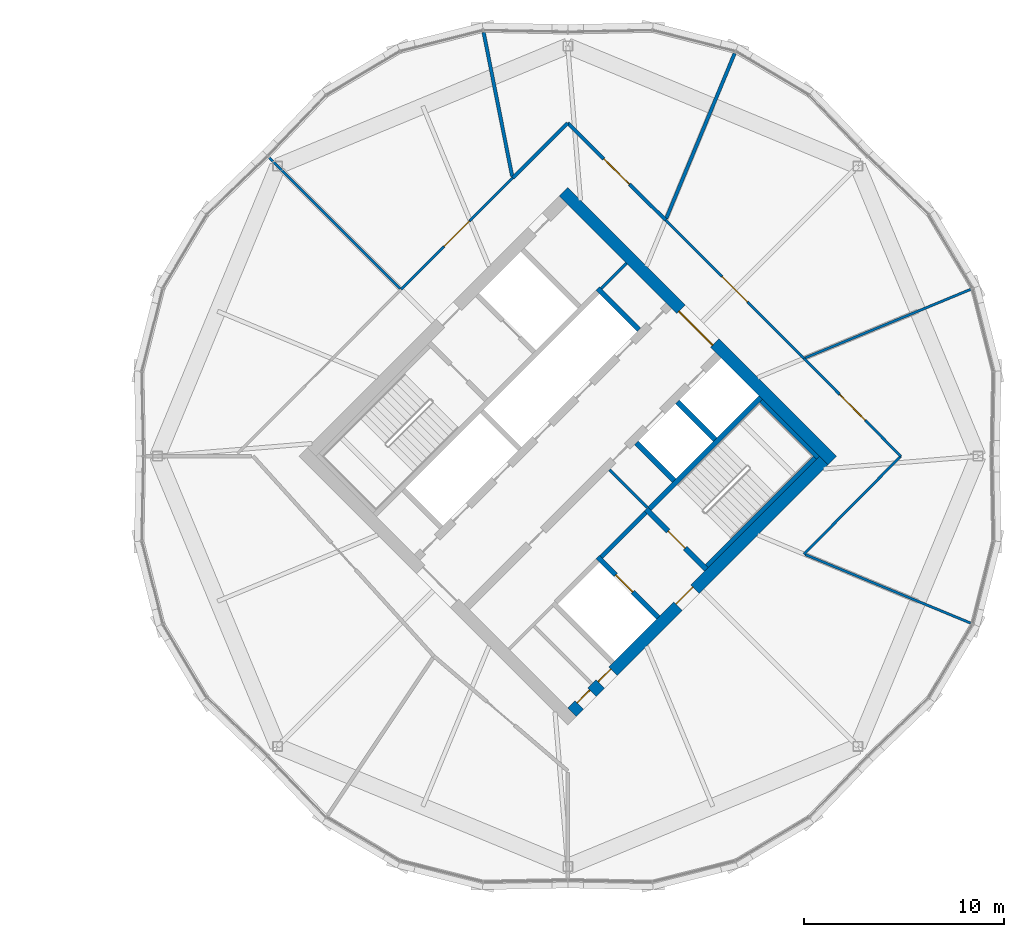
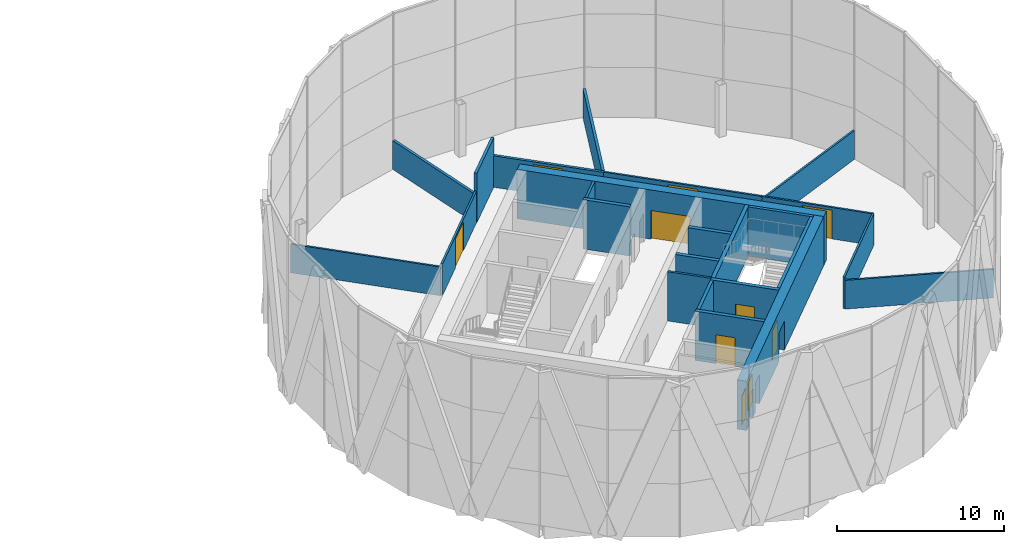
# One storey, part 22 of 25: 24 walls, 10 doors, 10 openings.
"""IFC4 building model written with IfcOpenShell, lengths in metres."""

from ifc_helpers import new_model, si_unit, direction, frame, frame_2d, origin, place, context, subcontext, project, spatial, rectangle, extrude, material, layer, layer_set, type_object, element, fill, save


model = new_model("IFC4")

# Units and contexts
model_context = context("Model", 3, precision=1e-05, world=origin(), true_north=direction((0.0, 1.0)))
body_context = subcontext(model_context, "Body", "Model", "MODEL_VIEW")
ifc_project = project(units=[si_unit("LENGTHUNIT", "METRE"), si_unit("AREAUNIT", "SQUARE_METRE"), si_unit("VOLUMEUNIT", "CUBIC_METRE"), si_unit("PLANEANGLEUNIT", "RADIAN"), si_unit("MASSUNIT", "GRAM", prefix="KILO")], contexts=[model_context])

# Site, building, storey
site_placement = place(None, origin())
site = spatial("IfcSite", under=ifc_project, at=site_placement, CompositionType="ELEMENT")
building_placement = place(site_placement, origin())
building = spatial("IfcBuilding", under=site, at=building_placement, Name="Ogive Gate Towers", CompositionType="ELEMENT")
storey_placement = place(building_placement, frame((0.0, 0.0, 196.800048828125)))
storey = spatial("IfcBuildingStorey", under=building, at=storey_placement, Name="L47", CompositionType="ELEMENT", Elevation=196.800048828125)

# Walls
ifc_material_1 = material(Name="Gypsum board acoustic partition")
ifc_layer_1 = layer(ifc_material_1, 0.175048828125)
ifc_layer_set_1 = layer_set([ifc_layer_1], Name="Acoustic partition 175")
wall_type_1 = type_object("IfcWallType", Name="Acoustic partition 175", PredefinedType="PARTITIONING", material=ifc_layer_set_1)
wall_1_placement = place(storey_placement, frame((44.35009765625, 20.1591796875, 0.0), z_axis=(0.0, 0.0, 1.0), x_axis=(-0.382666085815, -0.923886717497, 0.0)))
element("IfcWall", 1, at=wall_1_placement, inside=storey, type_object=wall_type_1, Name="Partition T2-L47-002", PredefinedType="PARTITIONING", context=body_context, shape_type="SweptSolid", body=[
    extrude(rectangle(XDim=8.941650390625, YDim=0.175048828125, at=frame_2d((4.470703125, 0.0))), origin(), (0.0, 0.0, 1.0), 2.099853515625),
])
wall_2_placement = place(storey_placement, frame((31.790283203125, 21.205810546875, 0.0), z_axis=(0.0, 0.0, 1.0), x_axis=(0.194734626215, -0.980855965651, 0.0)))
element("IfcWall", 2, at=wall_2_placement, inside=storey, type_object=wall_type_1, Name="Partition T2-L47-003", PredefinedType="PARTITIONING", context=body_context, shape_type="SweptSolid", body=[
    extrude(rectangle(XDim=7.341796875, YDim=0.175048828125, at=frame_2d((3.6708984375, 0.0))), origin(), (0.0, 0.0, 1.0), 2.099853515625),
])

# Wall, opening, door
wall_3_placement = place(storey_placement, frame((40.89501953125, 11.8173828125, 0.0), z_axis=(0.0, 0.0, 1.0), x_axis=(-0.7109435657, 0.703249064265, 0.0)))
wall_3 = element("IfcWall", 3, at=wall_3_placement, inside=storey, type_object=wall_type_1, Name="Partition T2-L47-013", PredefinedType="PARTITIONING", context=body_context, shape_type="SweptSolid", body=[
    extrude(rectangle(XDim=6.88525390625, YDim=0.175048828125, at=frame_2d((3.442626953125, 0.0))), origin(), (0.0, 0.0, 1.0), 2.300048828125),
])
opening_1_placement = place(wall_3_placement, frame((2.54296875, 0.0, 0.0)))
opening_1 = element("IfcOpeningElement", 4, at=opening_1_placement, cuts=wall_3, Name="Opening T2-L47-D04", PredefinedType="OPENING", context=body_context, shape_type="SweptSolid", body=[
    extrude(rectangle(XDim=1.800048828125, YDim=2.10009765625, at=frame_2d((0.89990234375, 1.050048828125))), frame((0.0, 0.09765625, 0.0), z_axis=(0.0, -1.0, 0.0), x_axis=(1.0, 0.0, 0.0)), (0.0, 0.0, 1.0), 0.195068359375),
])
ifc_material_2 = material(Name="Timber door", Category="wood")
door_type_1 = type_object("IfcDoorType", Name="Door pair 1800", OperationType="NOTDEFINED", PredefinedType="DOOR", material=ifc_material_2)
door_1_placement = place(opening_1_placement, origin())
door_1 = element("IfcDoor", 5, at=door_1_placement, inside=storey, type_object=door_type_1, Name="Door T2-L47-D04", OperationType="DOUBLE_DOOR_DOUBLE_SWING", OverallHeight=2.10009765625, OverallWidth=1.800048828125, PredefinedType="DOOR", context=body_context, shape_type="SweptSolid", body=[
    extrude(rectangle(XDim=1.800048828125, YDim=2.10009765625, at=frame_2d((0.89990234375, 1.050048828125))), frame((0.0, 0.02490234375, 0.0), z_axis=(0.0, -1.0, 0.0), x_axis=(1.0, 0.0, 0.0)), (0.0, 0.0, 1.0), 0.050048828125),
])
fill(opening_1, door_1)

# Walls
wall_4_placement = place(storey_placement, frame((36.0, 16.659423828125, 0.0), z_axis=(0.0, 0.0, 1.0), x_axis=(-0.710017872261, -0.704183655781, 0.0)))
element("IfcWall", 6, at=wall_4_placement, inside=storey, type_object=wall_type_1, Name="Partition T2-L47-014", PredefinedType="PARTITIONING", context=body_context, shape_type="SweptSolid", body=[
    extrude(rectangle(XDim=3.8916015625, YDim=0.175048828125, at=frame_2d((1.94580078125, 0.0))), origin(), (0.0, 0.0, 1.0), 3.599853515625),
])
ifc_material_3 = material(Name="Masonry blockwork", Category="masonry")
ifc_layer_2 = layer(ifc_material_3, 0.199951171875)
ifc_layer_set_2 = layer_set([ifc_layer_2], Name="Blockwork wall 200 mm")
wall_type_2 = type_object("IfcWallType", Name="Blockwork wall 200 mm", PredefinedType="PARTITIONING", material=ifc_layer_set_2)
wall_5_placement = place(storey_placement, frame((37.679443359375, -5.0380859375, 0.0), z_axis=(0.0, 0.0, 1.0), x_axis=(0.707106781187, 0.707106781187, 0.0)))
element("IfcWall", 7, at=wall_5_placement, inside=storey, type_object=wall_type_2, Name="T2 L47 Blockwork wall 200 mm", PredefinedType="PARTITIONING", context=body_context, shape_type="SweptSolid", body=[
    extrude(rectangle(XDim=3.14990234375, YDim=0.199951171875, at=frame_2d((1.574951171875, 0.0))), origin(), (0.0, 0.0, 1.0), 3.599853515625),
])

# Wall, openings, doors
ifc_material_4 = material(Name="Concrete C60/75", Category="concrete")
ifc_layer_3 = layer(ifc_material_4, 0.60009765625)
ifc_layer_set_3 = layer_set([ifc_layer_3], Name="Core wall 600 mm")
wall_type_3 = type_object("IfcWallType", Name="Core wall 600 mm", PredefinedType="SHEAR", material=ifc_layer_set_3)
wall_6_placement = place(storey_placement, frame((36.212158203125, -12.798583984375, 0.0), z_axis=(0.0, 0.0, 1.0), x_axis=(0.707106781187, 0.707106781187, 0.0)))
wall_6 = element("IfcWall", 8, at=wall_6_placement, inside=storey, type_object=wall_type_3, Name="T2 L47 Core wall 600 mm", PredefinedType="SHEAR", context=body_context, shape_type="SweptSolid", body=[
    extrude(rectangle(XDim=17.7998046875, YDim=0.60009765625, at=frame_2d((8.89990234375, 0.0))), origin(), (0.0, 0.0, 1.0), 3.599853515625),
])
opening_2_placement = place(wall_6_placement, frame((7.5, 0.0, 0.0)))
opening_2 = element("IfcOpeningElement", 9, at=opening_2_placement, cuts=wall_6, Name="Opening KD-T2-L47-19", PredefinedType="OPENING", context=body_context, shape_type="SweptSolid", body=[
    extrude(rectangle(XDim=1.199951171875, YDim=2.10009765625, at=frame_2d((0.60009765625, 1.050048828125))), frame((0.0, 0.31005859375, 0.0), z_axis=(0.0, -1.0, 0.0), x_axis=(1.0, 0.0, 0.0)), (0.0, 0.0, 1.0), 0.6201171875),
])
opening_3_placement = place(wall_6_placement, frame((0.5, 0.0, 0.0)))
opening_3 = element("IfcOpeningElement", 10, at=opening_3_placement, cuts=wall_6, Name="Opening KD-T2-L47-21", PredefinedType="OPENING", context=body_context, shape_type="SweptSolid", body=[
    extrude(rectangle(XDim=0.89990234375, YDim=2.10009765625, at=frame_2d((0.449951171875, 1.050048828125))), frame((0.0, 0.31005859375, 0.0), z_axis=(0.0, -1.0, 0.0), x_axis=(1.0, 0.0, 0.0)), (0.0, 0.0, 1.0), 0.6201171875),
])
opening_4_placement = place(wall_6_placement, frame((2.0, 0.0, 0.0)))
opening_4 = element("IfcOpeningElement", 11, at=opening_4_placement, cuts=wall_6, Name="Opening KD-T2-L47-22", PredefinedType="OPENING", context=body_context, shape_type="SweptSolid", body=[
    extrude(rectangle(XDim=0.89990234375, YDim=2.10009765625, at=frame_2d((0.449951171875, 1.050048828125))), frame((0.0, 0.31005859375, 0.0), z_axis=(0.0, -1.0, 0.0), x_axis=(1.0, 0.0, 0.0)), (0.0, 0.0, 1.0), 0.6201171875),
])
door_type_2 = type_object("IfcDoorType", Name="Core WC door 900 x 2100", OperationType="NOTDEFINED", PredefinedType="DOOR", material=ifc_material_2)
door_2_placement = place(opening_3_placement, origin())
door_2 = element("IfcDoor", 12, at=door_2_placement, inside=storey, type_object=door_type_2, Name="T2 L47 Core door", OperationType="SINGLE_SWING_RIGHT", OverallHeight=2.10009765625, OverallWidth=0.89990234375, PredefinedType="DOOR", context=body_context, shape_type="SweptSolid", body=[
    extrude(rectangle(XDim=0.89990234375, YDim=2.10009765625, at=frame_2d((0.449951171875, 1.050048828125))), frame((0.0, 0.1748046875, 0.0), z_axis=(0.0, -1.0, 0.0), x_axis=(1.0, 0.0, 0.0)), (0.0, 0.0, 1.0), 0.050048828125),
])
fill(opening_3, door_2)
door_3_placement = place(opening_4_placement, origin())
door_3 = element("IfcDoor", 13, at=door_3_placement, inside=storey, type_object=door_type_2, Name="T2 L47 Core door", OperationType="SINGLE_SWING_LEFT", OverallHeight=2.10009765625, OverallWidth=0.89990234375, PredefinedType="DOOR", context=body_context, shape_type="SweptSolid", body=[
    extrude(rectangle(XDim=0.89990234375, YDim=2.10009765625, at=frame_2d((0.449951171875, 1.050048828125))), frame((0.0, 0.1748046875, 0.0), z_axis=(0.0, -1.0, 0.0), x_axis=(1.0, 0.0, 0.0)), (0.0, 0.0, 1.0), 0.050048828125),
])
fill(opening_4, door_3)
ifc_material_5 = material(Name="Steel fire door", Category="steel")
door_type_3 = type_object("IfcDoorType", Name="Core door FD60S 1200 x 2100", OperationType="NOTDEFINED", PredefinedType="DOOR", material=ifc_material_5)
door_4_placement = place(opening_2_placement, origin())
door_4 = element("IfcDoor", 14, at=door_4_placement, inside=storey, type_object=door_type_3, Name="T2 L47 Fire-fighting lobby door", OperationType="SINGLE_SWING_RIGHT", OverallHeight=2.10009765625, OverallWidth=1.199951171875, PredefinedType="DOOR", context=body_context, shape_type="SweptSolid", body=[
    extrude(rectangle(XDim=1.199951171875, YDim=2.10009765625, at=frame_2d((0.60009765625, 1.050048828125))), frame((0.0, 0.1748046875, 0.0), z_axis=(0.0, -1.0, 0.0), x_axis=(1.0, 0.0, 0.0)), (0.0, 0.0, 1.0), 0.050048828125),
])
fill(opening_2, door_4)

# Wall, opening, door
wall_7_placement = place(storey_placement, frame((49.222900390625, -0.212158203125, 0.0), z_axis=(0.0, 0.0, 1.0), x_axis=(-0.707106781187, 0.707106781187, 0.0)))
wall_7 = element("IfcWall", 15, at=wall_7_placement, inside=storey, type_object=wall_type_3, Name="T2 L47 Core wall 600 mm", PredefinedType="SHEAR", context=body_context, shape_type="SweptSolid", body=[
    extrude(rectangle(XDim=19.0, YDim=0.60009765625, at=frame_2d((9.5, 0.0))), origin(), (0.0, 0.0, 1.0), 3.599853515625),
])
opening_5_placement = place(wall_7_placement, frame((8.300048828125, 0.0, 0.0)))
opening_5 = element("IfcOpeningElement", 16, at=opening_5_placement, cuts=wall_7, Name="Opening KD-T2-L47-02", PredefinedType="OPENING", context=body_context, shape_type="SweptSolid", body=[
    extrude(rectangle(XDim=2.39990234375, YDim=2.10009765625, at=frame_2d((1.199951171875, 1.050048828125))), frame((0.0, 0.31005859375, 0.0), z_axis=(0.0, -1.0, 0.0), x_axis=(1.0, 0.0, 0.0)), (0.0, 0.0, 1.0), 0.6201171875),
])
door_type_4 = type_object("IfcDoorType", Name="Core double door FD60S 2400 x 2100", OperationType="DOUBLE_DOOR_SINGLE_SWING", PredefinedType="DOOR", material=ifc_material_5)
door_5_placement = place(opening_5_placement, origin())
door_5 = element("IfcDoor", 17, at=door_5_placement, inside=storey, type_object=door_type_4, Name="T2 L47 Core door double", OperationType="DOUBLE_DOOR_SINGLE_SWING", OverallHeight=2.10009765625, OverallWidth=2.39990234375, PredefinedType="DOOR", context=body_context, shape_type="SweptSolid", body=[
    extrude(rectangle(XDim=2.39990234375, YDim=2.10009765625, at=frame_2d((1.199951171875, 1.050048828125))), frame((0.0, 0.1748046875, 0.0), z_axis=(0.0, -1.0, 0.0), x_axis=(1.0, 0.0, 0.0)), (0.0, 0.0, 1.0), 0.050048828125),
])
fill(opening_5, door_5)

# Walls
ifc_material_6 = material(Name="Gypsum board partition")
ifc_layer_4 = layer(ifc_material_6, 0.125)
ifc_layer_set_4 = layer_set([ifc_layer_4], Name="Partition 125")
wall_type_4 = type_object("IfcWallType", Name="Partition 125", PredefinedType="PARTITIONING", material=ifc_layer_set_4)
wall_8_placement = place(storey_placement, frame((56.1591796875, 8.35009765625, 0.0), z_axis=(0.0, 0.0, 1.0), x_axis=(-0.923880443146, -0.382681233892, 0.0)))
element("IfcWall", 18, at=wall_8_placement, inside=storey, type_object=wall_type_4, Name="Partition T2-L47-001", PredefinedType="PARTITIONING", context=body_context, shape_type="SweptSolid", body=[
    extrude(rectangle(XDim=8.966796875, YDim=0.125, at=frame_2d((4.4833984375, 0.0))), origin(), (0.0, 0.0, 1.0), 2.099853515625),
])
wall_9_placement = place(storey_placement, frame((21.066650390625, 14.933349609375, 0.0), z_axis=(0.0, 0.0, 1.0), x_axis=(0.707106781187, -0.707106781187, 0.0)))
element("IfcWall", 19, at=wall_9_placement, inside=storey, type_object=wall_type_4, Name="Partition T2-L47-004", PredefinedType="PARTITIONING", context=body_context, shape_type="SweptSolid", body=[
    extrude(rectangle(XDim=9.266357421875, YDim=0.125, at=frame_2d((4.63330078125, 0.0))), origin(), (0.0, 0.0, 1.0), 2.099853515625),
])
wall_10_placement = place(storey_placement, frame((56.1591796875, -8.35009765625, 0.0), z_axis=(0.0, 0.0, 1.0), x_axis=(-0.923880443146, 0.382681233892, 0.0)))
element("IfcWall", 20, at=wall_10_placement, inside=storey, type_object=wall_type_4, Name="Partition T2-L47-008", PredefinedType="PARTITIONING", context=body_context, shape_type="SweptSolid", body=[
    extrude(rectangle(XDim=8.966796875, YDim=0.125, at=frame_2d((4.4833984375, 0.0))), origin(), (0.0, 0.0, 1.0), 2.099853515625),
])

# Wall, opening, door
wall_11_placement = place(storey_placement, frame((52.659423828125, 0.0, 0.0), z_axis=(0.0, 0.0, 1.0), x_axis=(-0.703249064265, 0.7109435657, 0.0)))
wall_11 = element("IfcWall", 21, at=wall_11_placement, inside=storey, type_object=wall_type_4, Name="Partition T2-L47-010", PredefinedType="PARTITIONING", context=body_context, shape_type="SweptSolid", body=[
    extrude(rectangle(XDim=6.88525390625, YDim=0.125, at=frame_2d((3.442626953125, 0.0))), origin(), (0.0, 0.0, 1.0), 2.300048828125),
])
opening_6_placement = place(wall_11_placement, frame((2.54296875, 0.0, 0.0)))
opening_6 = element("IfcOpeningElement", 22, at=opening_6_placement, cuts=wall_11, Name="Opening T2-L47-D02", PredefinedType="OPENING", context=body_context, shape_type="SweptSolid", body=[
    extrude(rectangle(XDim=1.800048828125, YDim=2.10009765625, at=frame_2d((0.89990234375, 1.050048828125))), frame((0.0, 0.072509765625, 0.0), z_axis=(0.0, -1.0, 0.0), x_axis=(1.0, 0.0, 0.0)), (0.0, 0.0, 1.0), 0.14501953125),
])
door_6_placement = place(opening_6_placement, origin())
door_6 = element("IfcDoor", 23, at=door_6_placement, inside=storey, type_object=door_type_1, Name="Door T2-L47-D02", OperationType="DOUBLE_DOOR_DOUBLE_SWING", OverallHeight=2.10009765625, OverallWidth=1.800048828125, PredefinedType="DOOR", context=body_context, shape_type="SweptSolid", body=[
    extrude(rectangle(XDim=1.800048828125, YDim=2.10009765625, at=frame_2d((0.89990234375, 1.050048828125))), frame((0.0, 0.02490234375, 0.0), z_axis=(0.0, -1.0, 0.0), x_axis=(1.0, 0.0, 0.0)), (0.0, 0.0, 1.0), 0.050048828125),
])
fill(opening_6, door_6)

# Wall
wall_12_placement = place(storey_placement, frame((47.8173828125, -4.89501953125, 0.0), z_axis=(0.0, 0.0, 1.0), x_axis=(0.703249064265, 0.7109435657, 0.0)))
element("IfcWall", 24, at=wall_12_placement, inside=storey, type_object=wall_type_4, Name="Partition T2-L47-011", PredefinedType="PARTITIONING", context=body_context, shape_type="SweptSolid", body=[
    extrude(rectangle(XDim=6.88525390625, YDim=0.125, at=frame_2d((3.442626953125, 0.0))), origin(), (0.0, 0.0, 1.0), 2.300048828125),
])

# Wall, opening, door
wall_13_placement = place(storey_placement, frame((47.8173828125, 4.89501953125, 0.0), z_axis=(0.0, 0.0, 1.0), x_axis=(-0.707106781187, 0.707106781187, 0.0)))
wall_13 = element("IfcWall", 25, at=wall_13_placement, inside=storey, type_object=wall_type_4, Name="Partition T2-L47-012", PredefinedType="PARTITIONING", context=body_context, shape_type="SweptSolid", body=[
    extrude(rectangle(XDim=9.789794921875, YDim=0.125, at=frame_2d((4.89501953125, 0.0))), origin(), (0.0, 0.0, 1.0), 2.300048828125),
])
opening_7_placement = place(wall_13_placement, frame((3.9951171875, 0.0, 0.0)))
opening_7 = element("IfcOpeningElement", 26, at=opening_7_placement, cuts=wall_13, Name="Opening T2-L47-D03", PredefinedType="OPENING", context=body_context, shape_type="SweptSolid", body=[
    extrude(rectangle(XDim=1.800048828125, YDim=2.10009765625, at=frame_2d((0.89990234375, 1.050048828125))), frame((0.0, 0.072509765625, 0.0), z_axis=(0.0, -1.0, 0.0), x_axis=(1.0, 0.0, 0.0)), (0.0, 0.0, 1.0), 0.14501953125),
])
door_7_placement = place(opening_7_placement, origin())
door_7 = element("IfcDoor", 27, at=door_7_placement, inside=storey, type_object=door_type_1, Name="Door T2-L47-D03", OperationType="DOUBLE_DOOR_DOUBLE_SWING", OverallHeight=2.10009765625, OverallWidth=1.800048828125, PredefinedType="DOOR", context=body_context, shape_type="SweptSolid", body=[
    extrude(rectangle(XDim=1.800048828125, YDim=2.10009765625, at=frame_2d((0.89990234375, 1.050048828125))), frame((0.0, 0.02490234375, 0.0), z_axis=(0.0, -1.0, 0.0), x_axis=(1.0, 0.0, 0.0)), (0.0, 0.0, 1.0), 0.050048828125),
])
fill(opening_7, door_7)

wall_14_placement = place(storey_placement, frame((33.23681640625, 13.9189453125, 0.0), z_axis=(0.0, 0.0, 1.0), x_axis=(-0.706580441441, -0.707632729439, 0.0)))
wall_14 = element("IfcWall", 28, at=wall_14_placement, inside=storey, type_object=wall_type_4, Name="Partition T2-L47-015", PredefinedType="PARTITIONING", context=body_context, shape_type="SweptSolid", body=[
    extrude(rectangle(XDim=7.888427734375, YDim=0.125, at=frame_2d((3.9443359375, 0.0))), origin(), (0.0, 0.0, 1.0), 2.300048828125),
])
opening_8_placement = place(wall_14_placement, frame((3.0439453125, 0.0, 0.0)))
opening_8 = element("IfcOpeningElement", 29, at=opening_8_placement, cuts=wall_14, Name="Opening T2-L47-D05", PredefinedType="OPENING", context=body_context, shape_type="SweptSolid", body=[
    extrude(rectangle(XDim=1.800048828125, YDim=2.10009765625, at=frame_2d((0.89990234375, 1.050048828125))), frame((0.0, 0.072509765625, 0.0), z_axis=(0.0, -1.0, 0.0), x_axis=(1.0, 0.0, 0.0)), (0.0, 0.0, 1.0), 0.14501953125),
])
door_8_placement = place(opening_8_placement, origin())
door_8 = element("IfcDoor", 30, at=door_8_placement, inside=storey, type_object=door_type_1, Name="Door T2-L47-D05", OperationType="DOUBLE_DOOR_DOUBLE_SWING", OverallHeight=2.10009765625, OverallWidth=1.800048828125, PredefinedType="DOOR", context=body_context, shape_type="SweptSolid", body=[
    extrude(rectangle(XDim=1.800048828125, YDim=2.10009765625, at=frame_2d((0.89990234375, 1.050048828125))), frame((0.0, 0.02490234375, 0.0), z_axis=(0.0, -1.0, 0.0), x_axis=(1.0, 0.0, 0.0)), (0.0, 0.0, 1.0), 0.050048828125),
])
fill(opening_8, door_8)

# Walls
ifc_layer_5 = layer(ifc_material_6, 0.14990234375)
ifc_layer_set_5 = layer_set([ifc_layer_5], Name="Room partition 150 mm")
wall_type_5 = type_object("IfcWallType", Name="Room partition 150 mm", PredefinedType="PARTITIONING", material=ifc_layer_set_5)
wall_15_placement = place(storey_placement, frame((37.679443359375, 8.39697265625, 0.0), z_axis=(0.0, 0.0, 1.0), x_axis=(0.707106781187, 0.707106781187, 0.0)))
element("IfcWall", 31, at=wall_15_placement, inside=storey, type_object=wall_type_5, Name="T2 L47 Room partition 150 mm", PredefinedType="PARTITIONING", context=body_context, shape_type="SweptSolid", body=[
    extrude(rectangle(XDim=1.77490234375, YDim=0.14990234375, at=frame_2d((0.887451171875, 0.0))), origin(), (0.0, 0.0, 1.0), 3.599853515625),
])
wall_16_placement = place(storey_placement, frame((39.9775390625, -2.563232421875, 0.0), z_axis=(0.0, 0.0, 1.0), x_axis=(-0.707152414227, 0.707061145201, 0.0)))
element("IfcWall", 32, at=wall_16_placement, inside=storey, type_object=wall_type_5, Name="T2 L47 Room partition 150 mm", PredefinedType="PARTITIONING", context=body_context, shape_type="SweptSolid", body=[
    extrude(rectangle(XDim=2.675048828125, YDim=0.14990234375, at=frame_2d((1.33740234375, 0.0))), origin(), (0.0, 0.0, 1.0), 3.599853515625),
])
ifc_layer_6 = layer(ifc_material_4, 0.25)
ifc_layer_set_6 = layer_set([ifc_layer_6], Name="Shaft wall 250 mm")
wall_type_6 = type_object("IfcWallType", Name="Shaft wall 250 mm", PredefinedType="SHEAR", material=ifc_layer_set_6)
wall_17_placement = place(storey_placement, frame((40.08349609375, -2.634033203125, 0.0), z_axis=(0.0, 0.0, 1.0), x_axis=(0.707106781187, 0.707106781187, 0.0)))
element("IfcWall", 33, at=wall_17_placement, inside=storey, type_object=wall_type_6, Name="T2 L47 Shaft wall 250 mm", PredefinedType="SHEAR", context=body_context, shape_type="SweptSolid", body=[
    extrude(rectangle(XDim=7.875244140625, YDim=0.25, at=frame_2d((3.9375, 0.0))), origin(), (0.0, 0.0, 1.0), 3.599853515625),
])

# Wall, opening, door
wall_18_placement = place(storey_placement, frame((40.525390625, -8.06103515625, 0.0), z_axis=(0.0, 0.0, 1.0), x_axis=(-0.707078225638, 0.707135335582, 0.0)))
wall_18 = element("IfcWall", 34, at=wall_18_placement, inside=storey, type_object=wall_type_6, Name="T2 L47 Shaft wall 250 mm", PredefinedType="SHEAR", context=body_context, shape_type="SweptSolid", body=[
    extrude(rectangle(XDim=4.27490234375, YDim=0.25, at=frame_2d((2.137451171875, 0.0))), origin(), (0.0, 0.0, 1.0), 3.599853515625),
])
opening_9_placement = place(wall_18_placement, frame((1.800048828125, 0.0, 0.0)))
opening_9 = element("IfcOpeningElement", 35, at=opening_9_placement, cuts=wall_18, Name="Opening LD-T2-L47-13", PredefinedType="OPENING", context=body_context, shape_type="SweptSolid", body=[
    extrude(rectangle(XDim=1.199951171875, YDim=2.10009765625, at=frame_2d((0.60009765625, 1.050048828125))), frame((0.0, 0.135009765625, 0.0), z_axis=(0.0, -1.0, 0.0), x_axis=(1.0, 0.0, 0.0)), (0.0, 0.0, 1.0), 0.27001953125),
])
ifc_material_7 = material(Name="Stainless steel landing door", Category="steel")
door_type_5 = type_object("IfcDoorType", Name="Landing door 1200 x 2100", OperationType="SLIDING_TO_LEFT", PredefinedType="DOOR", material=ifc_material_7)
door_9_placement = place(opening_9_placement, origin())
door_9 = element("IfcDoor", 36, at=door_9_placement, inside=storey, type_object=door_type_5, Name="T2 L47 Lift landing door FF2", OperationType="SLIDING_TO_LEFT", OverallHeight=2.10009765625, OverallWidth=1.199951171875, PredefinedType="DOOR", context=body_context, shape_type="SweptSolid", body=[
    extrude(rectangle(XDim=1.199951171875, YDim=2.10009765625, at=frame_2d((0.60009765625, 1.050048828125))), frame((0.0, 0.02490234375, 0.0), z_axis=(0.0, -1.0, 0.0), x_axis=(1.0, 0.0, 0.0)), (0.0, 0.0, 1.0), 0.050048828125),
])
fill(opening_9, door_9)

wall_19_placement = place(storey_placement, frame((42.9296875, -5.656982421875, 0.0), z_axis=(0.0, 0.0, 1.0), x_axis=(-0.707106781187, 0.707106781187, 0.0)))
wall_19 = element("IfcWall", 37, at=wall_19_placement, inside=storey, type_object=wall_type_6, Name="T2 L47 Shaft wall 250 mm", PredefinedType="SHEAR", context=body_context, shape_type="SweptSolid", body=[
    extrude(rectangle(XDim=4.250244140625, YDim=0.25, at=frame_2d((2.125, 0.0))), origin(), (0.0, 0.0, 1.0), 3.599853515625),
])
opening_10_placement = place(wall_19_placement, frame((1.5, 0.0, 0.0)))
opening_10 = element("IfcOpeningElement", 38, at=opening_10_placement, cuts=wall_19, Name="Opening KD-T2-L47-17", PredefinedType="OPENING", context=body_context, shape_type="SweptSolid", body=[
    extrude(rectangle(XDim=1.199951171875, YDim=2.10009765625, at=frame_2d((0.60009765625, 1.050048828125))), frame((0.0, 0.135009765625, 0.0), z_axis=(0.0, -1.0, 0.0), x_axis=(1.0, 0.0, 0.0)), (0.0, 0.0, 1.0), 0.27001953125),
])
door_10_placement = place(opening_10_placement, origin())
door_10 = element("IfcDoor", 39, at=door_10_placement, inside=storey, type_object=door_type_3, Name="T2 L47 Stair door", OperationType="SINGLE_SWING_RIGHT", OverallHeight=2.10009765625, OverallWidth=1.199951171875, PredefinedType="DOOR", context=body_context, shape_type="SweptSolid", body=[
    extrude(rectangle(XDim=1.199951171875, YDim=2.10009765625, at=frame_2d((0.60009765625, 1.050048828125))), frame((0.0, 0.02490234375, 0.0), z_axis=(0.0, -1.0, 0.0), x_axis=(1.0, 0.0, 0.0)), (0.0, 0.0, 1.0), 0.050048828125),
])
fill(opening_10, door_10)

# Walls
for number, where, z_axis, x_axis, name in (
    (40, (41.321044921875, -1.2197265625, 0.0), (0.0, 0.0, 1.0), (-0.707106781187, 0.707106781187, 0.0), "T2 L47 Shaft wall 250 mm"),
    (41, (43.37158203125, 0.830810546875, 0.0), (0.0, 0.0, 1.0), (-0.707106781187, 0.707106781187, 0.0), "T2 L47 Shaft wall 250 mm"),
):
    element("IfcWall", number, at=place(storey_placement, frame(where, z_axis=z_axis, x_axis=x_axis)), inside=storey, type_object=wall_type_6, Name=name, PredefinedType="SHEAR", context=body_context, shape_type="SweptSolid", body=[
        extrude(rectangle(XDim=2.675048828125, YDim=0.25, at=frame_2d((1.33740234375, 0.0))), origin(), (0.0, 0.0, 1.0), 3.599853515625),
    ])
wall_20_placement = place(storey_placement, frame((39.57080078125, 6.32861328125, 0.0), z_axis=(0.0, 0.0, 1.0), x_axis=(-0.707065045505, 0.707148514405, 0.0)))
element("IfcWall", 42, at=wall_20_placement, inside=storey, type_object=wall_type_6, Name="T2 L47 Shaft wall 250 mm", PredefinedType="SHEAR", context=body_context, shape_type="SweptSolid", body=[
    extrude(rectangle(XDim=2.925048828125, YDim=0.25, at=frame_2d((1.46240234375, 0.0))), origin(), (0.0, 0.0, 1.0), 3.599853515625),
])
ifc_layer_7 = layer(ifc_material_4, 0.199951171875)
ifc_layer_set_7 = layer_set([ifc_layer_7], Name="Stair wall 200 mm")
wall_type_7 = type_object("IfcWallType", Name="Stair wall 200 mm", PredefinedType="SHEAR", material=ifc_layer_set_7)
wall_21_placement = place(storey_placement, frame((42.947265625, -5.497802734375, 0.0), z_axis=(0.0, 0.0, 1.0), x_axis=(0.707122685701, 0.707090876314, 0.0)))
element("IfcWall", 43, at=wall_21_placement, inside=storey, type_object=wall_type_7, Name="T2 L47 Stair wall 200 mm", PredefinedType="SHEAR", context=body_context, shape_type="SweptSolid", body=[
    extrude(rectangle(XDim=7.675048828125, YDim=0.199951171875, at=frame_2d((3.83740234375, 0.0))), origin(), (0.0, 0.0, 1.0), 3.599853515625),
])
wall_22_placement = place(storey_placement, frame((48.515869140625, -0.07080078125, 0.0), z_axis=(0.0, 0.0, 1.0), x_axis=(-0.707106781187, 0.707106781187, 0.0)))
element("IfcWall", 44, at=wall_22_placement, inside=storey, type_object=wall_type_7, Name="T2 L47 Stair wall 200 mm", PredefinedType="SHEAR", context=body_context, shape_type="SweptSolid", body=[
    extrude(rectangle(XDim=4.025146484375, YDim=0.199951171875, at=frame_2d((2.0126953125, 0.0))), origin(), (0.0, 0.0, 1.0), 3.599853515625),
])

save(model, "model.ifc")
